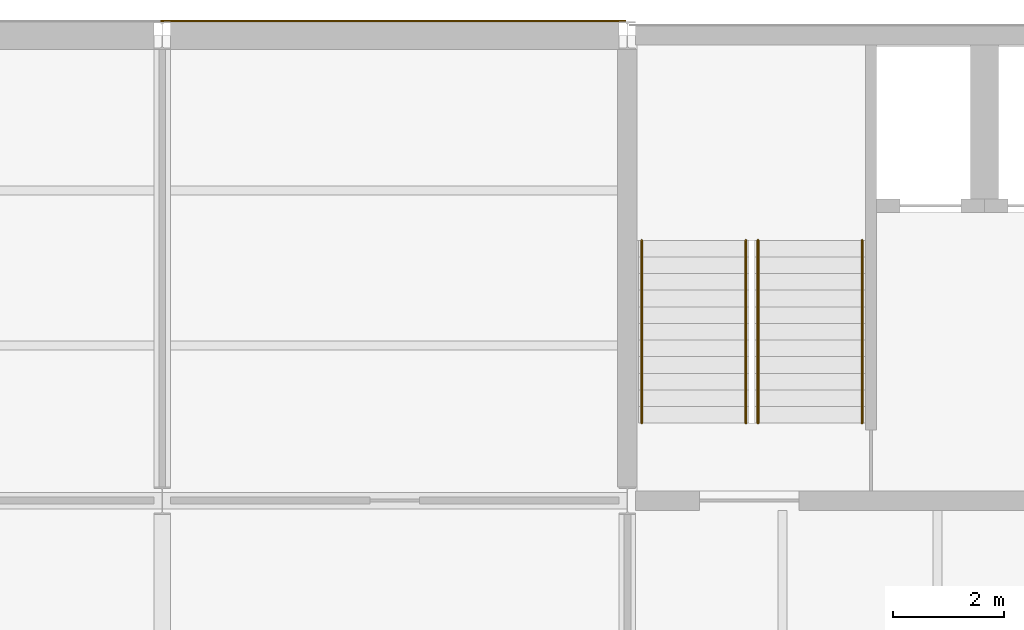
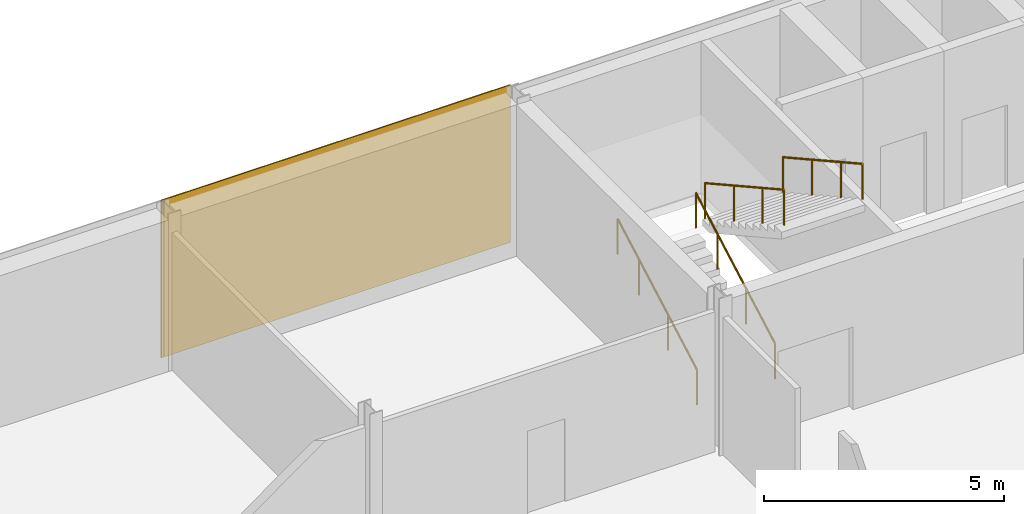
# One storey, part 11 of 12: 4 railings, 2 coverings.
"""IFC4 building model written with IfcOpenShell, lengths in metres."""

from ifc_helpers import new_model, si_unit, direction, frame, origin, origin_2d, place, context, subcontext, project, spatial, rectangle, circle, extrude, material, layer, layer_set, type_object, element, save


model = new_model("IFC4")

# Units and contexts
model_context = context("Model", 3, precision=1e-05, world=origin(), true_north=direction((0.0, 1.0)))
body_context = subcontext(model_context, "Body", "Model", "MODEL_VIEW")
ifc_project = project(units=[si_unit("LENGTHUNIT", "METRE"), si_unit("AREAUNIT", "SQUARE_METRE"), si_unit("VOLUMEUNIT", "CUBIC_METRE"), si_unit("PLANEANGLEUNIT", "RADIAN"), si_unit("MASSUNIT", "GRAM", prefix="KILO")], contexts=[model_context])

# Site, building, storey
site_placement = place(None, origin())
site = spatial("IfcSite", under=ifc_project, at=site_placement, CompositionType="ELEMENT")
building_placement = place(site_placement, origin())
building = spatial("IfcBuilding", under=site, at=building_placement, Name="Galleria Vessillo Department Store", CompositionType="ELEMENT")
storey_placement = place(building_placement, frame((0.0, 0.0, 39.60009765625)))
storey = spatial("IfcBuildingStorey", under=building, at=storey_placement, Name="L08", CompositionType="ELEMENT", Elevation=39.60009765625)

# Coverings
ifc_material_1 = material(Name="Lime plaster (intonaco) ochre")
ifc_layer = layer(ifc_material_1, 0.030029296875)
ifc_layer_set = layer_set([ifc_layer], Name="Lime plaster (intonaco) ochre")
covering_type = type_object("IfcCoveringType", Name="Lime plaster render 30 mm", PredefinedType="CLADDING", material=ifc_layer_set)
covering_1_placement = place(storey_placement, frame((96.60009765625, 63.264892578125, 0.0), z_axis=(0.0, 0.0, 1.0), x_axis=(1.0, 0.0, 0.0)))
element("IfcCovering", 1, at=covering_1_placement, inside=storey, type_object=covering_type, Name="Wall cladding S-TN-L08-02", PredefinedType="CLADDING", context=body_context, shape_type="SweptSolid", body=[
    extrude(rectangle(XDim=8.34033203125, YDim=0.030029296875, at=origin_2d()), origin(), (0.0, 0.0, 1.0), 4.0),
])
covering_2_placement = place(storey_placement, frame((92.39990234375, 63.264892578125, 0.0), z_axis=(0.0, 0.0, 1.0), x_axis=(1.0, 0.0, 0.0)))
element("IfcCovering", 2, at=covering_2_placement, inside=storey, type_object=covering_type, Name="Joint block Wall cladding S-TN-L08-01", PredefinedType="CLADDING", context=body_context, shape_type="SweptSolid", body=[
    extrude(rectangle(XDim=0.059814453125, YDim=0.030029296875, at=origin_2d()), origin(), (0.0, 0.0, 1.0), 4.0),
])

# Railings
ifc_material_2 = material(Name="Stainless steel tube", Category="steel")
railing_type = type_object("IfcRailingType", Name="Stair handrail steel tube 48 mm", PredefinedType="HANDRAIL", material=ifc_material_2)
for number, where, name in (
    (3, (101.06005859375, 56.0, 0.166748046875), "Handrail ST8 L08 flight 1A"),
    (4, (102.93994140625, 56.0, 0.166748046875), "Handrail ST8 L08 flight 1B"),
):
    element("IfcRailing", number, at=place(storey_placement, frame(where)), inside=storey, type_object=railing_type, Name=name, PredefinedType="HANDRAIL", context=body_context, shape_type="SweptSolid", body=[
        extrude(circle(Radius=0.02392578125, at=origin_2d()), frame((0.0, 0.0, 0.89599609375), z_axis=(0.0, 0.874199221805, 0.485567421267), x_axis=(-1.0, 0.0, 0.0)), (0.0, 0.0, 1.0), 1.37255859375),
        extrude(circle(Radius=0.02392578125, at=origin_2d()), frame((0.0, 1.199951171875, 1.5625), z_axis=(0.0, 0.874123717778, 0.485703331282), x_axis=(-1.0, 0.0, 0.0)), (0.0, 0.0, 1.0), 1.372802734375),
        extrude(circle(Radius=0.02392578125, at=origin_2d()), frame((0.0, 2.39990234375, 2.22900390625), z_axis=(0.0, 0.874190826042, 0.485582536407), x_axis=(-1.0, 0.0, 0.0)), (0.0, 0.0, 1.0), 1.02978515625),
        extrude(circle(Radius=0.02099609375, at=origin_2d()), origin(), (0.0, 0.0, 1.0), 0.871826171875),
        extrude(circle(Radius=0.02099609375, at=origin_2d()), frame((0.0, 1.199951171875, 0.66650390625)), (0.0, 0.0, 1.0), 0.871826171875),
        extrude(circle(Radius=0.02099609375, at=origin_2d()), frame((0.0, 2.39990234375, 1.333251953125)), (0.0, 0.0, 1.0), 0.871826171875),
        extrude(circle(Radius=0.02099609375, at=origin_2d()), frame((0.0, 3.300048828125, 1.833251953125)), (0.0, 0.0, 1.0), 0.871826171875),
    ])
for number, where, name in (
    (5, (105.0400390625, 59.300048828125, 2.166748046875), "Handrail ST8 L08 flight 2A"),
    (6, (103.16015625, 59.300048828125, 2.166748046875), "Handrail ST8 L08 flight 2B"),
):
    element("IfcRailing", number, at=place(storey_placement, frame(where)), inside=storey, type_object=railing_type, Name=name, PredefinedType="HANDRAIL", context=body_context, shape_type="SweptSolid", body=[
        extrude(circle(Radius=0.02392578125, at=origin_2d()), frame((0.0, 0.0, 0.89599609375), z_axis=(0.0, -0.874199221805, 0.485567421267), x_axis=(1.0, 0.0, 0.0)), (0.0, 0.0, 1.0), 1.37255859375),
        extrude(circle(Radius=0.02392578125, at=origin_2d()), frame((0.0, -1.199951171875, 1.5625), z_axis=(0.0, -0.874123717778, 0.485703331282), x_axis=(1.0, 0.0, 0.0)), (0.0, 0.0, 1.0), 1.372802734375),
        extrude(circle(Radius=0.02392578125, at=origin_2d()), frame((0.0, -2.39990234375, 2.22900390625), z_axis=(0.0, -0.874190826042, 0.485582536407), x_axis=(1.0, 0.0, 0.0)), (0.0, 0.0, 1.0), 1.02978515625),
        extrude(circle(Radius=0.02099609375, at=origin_2d()), origin(), (0.0, 0.0, 1.0), 0.871826171875),
        extrude(circle(Radius=0.02099609375, at=origin_2d()), frame((0.0, -1.199951171875, 0.66650390625)), (0.0, 0.0, 1.0), 0.871826171875),
        extrude(circle(Radius=0.02099609375, at=origin_2d()), frame((0.0, -2.39990234375, 1.333251953125)), (0.0, 0.0, 1.0), 0.871826171875),
        extrude(circle(Radius=0.02099609375, at=origin_2d()), frame((0.0, -3.300048828125, 1.833251953125)), (0.0, 0.0, 1.0), 0.871826171875),
    ])

save(model, "model.ifc")
